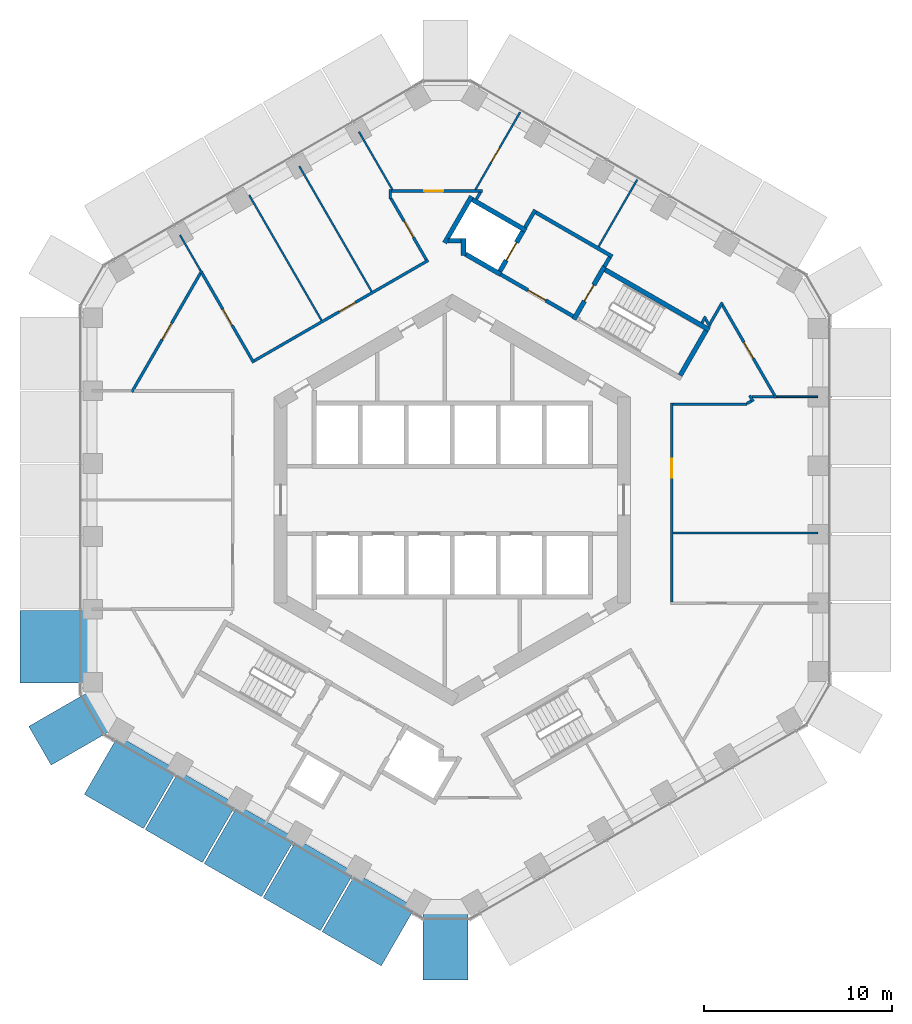
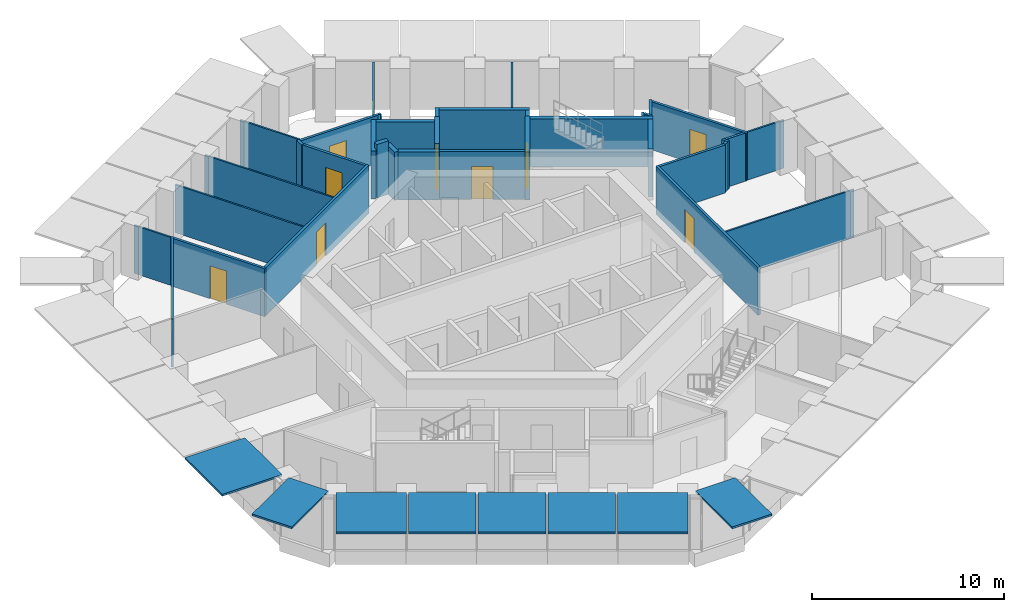
# One storey, part 15 of 19: 37 walls, 11 doors, 8 discrete accessories, 11 openings.
"""IFC4 building model written with IfcOpenShell, lengths in metres."""

import ifcopenshell
import ifcopenshell.guid

model = None  # the IFC model being written
_history = None  # IfcOwnerHistory: only IFC2X3 demands one
_inside = {}  # id of a spatial element -> (the spatial element, [elements in it])
_under = {}  # id of a project, library or spatial element -> (it, [spatial elements below it])
_declared = {}  # id of a project -> (the project, [libraries it declares])
_typed = {}  # id of a type object -> (the type object, [elements of that type])
_made_of = {}  # id of a material, layer set ... -> (it, [elements and type objects made of it])


def new_model(schema):
    """Start an empty IFC model of exactly this schema.

    Asked for "IFC4X3", IfcOpenShell would pick the latest addendum, in which some entities
    have other attributes; the version numbers below select the first issue.
    IFC2X3 requires an IfcOwnerHistory on every rooted entity: one is made here for all.
    """
    global model, _history
    if schema == "IFC4X3":
        model = ifcopenshell.file(schema_version=(4, 3, 0, 0))
    else:
        model = ifcopenshell.file(schema=schema)
    _inside.clear()
    _under.clear()
    _declared.clear()
    _typed.clear()
    _made_of.clear()
    _history = None
    if model.schema == "IFC2X3":
        org = make("IfcOrganization", Name="unknown")
        user = make(
            "IfcPersonAndOrganization",
            ThePerson=make("IfcPerson", FamilyName="unknown"),
            TheOrganization=org,
        )
        app = make(
            "IfcApplication",
            ApplicationDeveloper=org,
            Version="unknown",
            ApplicationFullName="unknown",
            ApplicationIdentifier="unknown",
        )
        _history = make(
            "IfcOwnerHistory",
            OwningUser=user,
            OwningApplication=app,
            ChangeAction="ADDED",
            CreationDate=0,
        )
    return model


def make(cls, **values):
    """One entity of the class cls with the attributes given. An attribute that is None is left unset."""
    return model.create_entity(
        cls, **{name: value for name, value in values.items() if value is not None}
    )


def rooted(cls, **values):
    """An entity with a GlobalId (a new one), such as an element, a storey or a relation."""
    return make(cls, GlobalId=ifcopenshell.guid.new(), OwnerHistory=_history, **values)


def si_unit(unit_type, name, prefix=None):
    """IfcSIUnit, for example si_unit("LENGTHUNIT", "METRE", prefix="MILLI")."""
    return make("IfcSIUnit", UnitType=unit_type, Prefix=prefix, Name=name)


def assignment(units):
    """IfcUnitAssignment: the units of a project."""
    return None if units is None else make("IfcUnitAssignment", Units=units)


def point(xyz):
    """IfcCartesianPoint."""
    return None if xyz is None else make("IfcCartesianPoint", Coordinates=xyz)


def direction(xyz):
    """IfcDirection."""
    return None if xyz is None else make("IfcDirection", DirectionRatios=xyz)


def frame(location, z_axis=None, x_axis=None):
    """IfcAxis2Placement3D, a coordinate frame: its origin and axes. An axis left out is left unset."""
    return make(
        "IfcAxis2Placement3D",
        Location=point(location),
        Axis=direction(z_axis),
        RefDirection=direction(x_axis),
    )


def frame_2d(location, x_axis=None):
    """IfcAxis2Placement2D, a coordinate frame in the plane: its origin and x axis."""
    return make(
        "IfcAxis2Placement2D", Location=point(location), RefDirection=direction(x_axis)
    )


def origin():
    """The frame at (0, 0, 0) with its axes left unset."""
    return frame((0.0, 0.0, 0.0))


def origin_2d():
    """The frame at (0, 0) in the plane with its x axis left unset."""
    return frame_2d((0.0, 0.0))


def place(relative_to, where):
    """IfcLocalPlacement: puts the frame where relative to a parent placement (None: the world)."""
    return make(
        "IfcLocalPlacement", PlacementRelTo=relative_to, RelativePlacement=where
    )


def context(
    kind, dimensions, precision=None, world=None, true_north=None, identifier=None
):
    """IfcGeometricRepresentationContext, for example the 3D "Model" context."""
    return make(
        "IfcGeometricRepresentationContext",
        ContextIdentifier=identifier,
        ContextType=kind,
        CoordinateSpaceDimension=dimensions,
        Precision=precision,
        WorldCoordinateSystem=world,
        TrueNorth=true_north,
    )


def subcontext(parent, identifier, kind, view, scale=None):
    """IfcGeometricRepresentationSubContext, for example "Body" below "Model"."""
    return make(
        "IfcGeometricRepresentationSubContext",
        ContextIdentifier=identifier,
        ContextType=kind,
        ParentContext=parent,
        TargetScale=scale,
        TargetView=view,
    )


def project(units=None, contexts=None):
    """IfcProject with its units and contexts."""
    return rooted(
        "IfcProject",
        Name="project",
        RepresentationContexts=contexts,
        UnitsInContext=assignment(units),
    )


def spatial(cls, under=None, at=None, **own):
    """A site, building, storey or space (cls), placed at a placement, below another one or the project."""
    s = rooted(cls, ObjectPlacement=at, **own)
    if under is not None:
        _under.setdefault(under.id(), (under, []))[1].append(s)
    return s


def profile(cls, at=None, kind="AREA", **sizes):
    """A parametric profile (cls). Its sizes go by their IFC names, for example OverallWidth=200.0."""
    return make(cls, ProfileType=kind, Position=at, **sizes)


def rectangle(**sizes):
    """IfcRectangleProfileDef."""
    return profile("IfcRectangleProfileDef", **sizes)


def extrude(swept, where, along, depth):
    """IfcExtrudedAreaSolid: the profile swept, set in the frame where, extruded along a direction by depth."""
    return make(
        "IfcExtrudedAreaSolid",
        SweptArea=swept,
        Position=where,
        ExtrudedDirection=direction(along),
        Depth=depth,
    )


def shape(context_of_items, identifier, shape_type, items):
    """IfcShapeRepresentation: the items that make up one representation, for example the "Body"."""
    return make(
        "IfcShapeRepresentation",
        ContextOfItems=context_of_items,
        RepresentationIdentifier=identifier,
        RepresentationType=shape_type,
        Items=items,
    )


def material(Name=None, Category=None):
    """IfcMaterial."""
    return make("IfcMaterial", Name=Name, Category=Category)


def layer(
    of_material, thickness, ventilated=None, Name=None, Category=None, Priority=None
):
    """IfcMaterialLayer: one layer of a wall or slab, of a material (None: an air gap)."""
    return make(
        "IfcMaterialLayer",
        Material=of_material,
        LayerThickness=thickness,
        IsVentilated=ventilated,
        Name=Name,
        Category=Category,
        Priority=Priority,
    )


def layer_set(layers, Name=None):
    """IfcMaterialLayerSet."""
    return make("IfcMaterialLayerSet", MaterialLayers=layers, LayerSetName=Name)


def made_of(thing, what):
    """Note that an element or type object is made of a material, layer set ...; save() writes the relation."""
    if what is not None:
        _made_of.setdefault(what.id(), (what, []))[1].append(thing)
    return thing


def type_object(cls, material=None, **own):
    """A type object (cls), such as IfcWallType, which elements share."""
    return made_of(rooted(cls, **own), material)


def element(
    cls,
    number,
    at=None,
    inside=None,
    cuts=None,
    type_object=None,
    material=None,
    context=None,
    identifier="Body",
    shape_type=None,
    held_by="IfcProductDefinitionShape",
    body=None,
    shapes=None,
    **own,
):
    """One element of the class cls, such as IfcWall. Its Tag is "e" and its number.

    at: its placement. inside: the storey or other place that contains it. cuts: it is an
    opening in that element (IfcRelVoidsElement). A single representation is given by context,
    identifier, shape_type and body (its items); several are given by shapes. held_by: the class
    of the entity that holds the representations. save() writes the other relations.
    """
    e = rooted(cls, Tag="e%d" % number, ObjectPlacement=at, **own)
    if body is not None:
        shapes = [shape(context, identifier, shape_type, body)]
    if shapes is not None:
        e.Representation = make(held_by, Representations=shapes)
    if inside is not None:
        _inside.setdefault(inside.id(), (inside, []))[1].append(e)
    if cuts is not None:
        rooted(
            "IfcRelVoidsElement", RelatingBuildingElement=cuts, RelatedOpeningElement=e
        )
    if type_object is not None:
        _typed.setdefault(type_object.id(), (type_object, []))[1].append(e)
    return made_of(e, material)


def fill(opening, filler):
    """IfcRelFillsElement: the door or window that sits in an opening."""
    return rooted(
        "IfcRelFillsElement",
        RelatingOpeningElement=opening,
        RelatedBuildingElement=filler,
    )


def aggregate(whole, parts):
    """IfcRelAggregates: a whole, such as a stair, and the parts it consists of."""
    return rooted("IfcRelAggregates", RelatingObject=whole, RelatedObjects=parts)


def save(model, path):
    """Write the relations noted so far, then the file.

    IfcRelAggregates (storeys below a building ...), IfcRelContainedInSpatialStructure (elements
    in a storey), IfcRelDefinesByType, IfcRelAssociatesMaterial and IfcRelDeclares: one each for
    every whole, place, type object, material and project.
    """
    for whole, parts in _under.values():
        aggregate(whole, parts)
    for where, things in _inside.values():
        rooted(
            "IfcRelContainedInSpatialStructure",
            RelatedElements=things,
            RelatingStructure=where,
        )
    for kind, things in _typed.values():
        rooted("IfcRelDefinesByType", RelatedObjects=things, RelatingType=kind)
    for what, things in _made_of.values():
        rooted("IfcRelAssociatesMaterial", RelatedObjects=things, RelatingMaterial=what)
    for by, libraries in _declared.values():
        rooted("IfcRelDeclares", RelatingContext=by, RelatedDefinitions=libraries)
    model.write(path)


model = new_model("IFC4")

# Units and contexts
model_context = context("Model", 3, precision=1e-05, world=origin(), true_north=direction((0.0, 1.0)))
body_context = subcontext(model_context, "Body", "Model", "MODEL_VIEW")
ifc_project = project(units=[si_unit("LENGTHUNIT", "METRE"), si_unit("AREAUNIT", "SQUARE_METRE"), si_unit("VOLUMEUNIT", "CUBIC_METRE"), si_unit("PLANEANGLEUNIT", "RADIAN"), si_unit("MASSUNIT", "GRAM", prefix="KILO")], contexts=[model_context])

# Site, building, storey
site_placement = place(None, origin())
site = spatial("IfcSite", under=ifc_project, at=site_placement, CompositionType="ELEMENT")
building_placement = place(site_placement, origin())
building = spatial("IfcBuilding", under=site, at=building_placement, Name="Ayvan Gate Tower", CompositionType="ELEMENT")
storey_placement = place(building_placement, frame((0.0, 0.0, 100.10009765625)))
storey = spatial("IfcBuildingStorey", under=building, at=storey_placement, Name="L26", CompositionType="ELEMENT", Elevation=100.10009765625)

# Wall, opening, door
ifc_material_1 = material(Name="Plasterboard on steel stud", Category="steel")
ifc_layer_1 = layer(ifc_material_1, 0.14990234375)
ifc_layer_set_1 = layer_set([ifc_layer_1], Name="Plasterboard on steel stud")
wall_type_1 = type_object("IfcWallType", Name="WT-CORR-150", PredefinedType="PARTITIONING", material=ifc_layer_set_1)
wall_1_placement = place(storey_placement, frame((-17.078369140625, 5.74853515625, 0.0), z_axis=(0.0, 0.0, 1.0), x_axis=(0.499994713456, 0.86602845595, 0.0)))
wall_1 = element("IfcWall", 1, at=wall_1_placement, inside=storey, type_object=wall_type_1, Name="IW-L26-003", PredefinedType="PARTITIONING", context=body_context, shape_type="SweptSolid", body=[
    extrude(rectangle(XDim=7.4775390625, YDim=0.14990234375, at=frame_2d((3.73876953125, 0.0))), origin(), (0.0, 0.0, 1.0), 3.0498046875),
])
opening_1_placement = place(wall_1_placement, frame((3.23876953125, 0.0, 0.0)))
opening_1 = element("IfcOpeningElement", 2, at=opening_1_placement, cuts=wall_1, Name="Opening L26-D22", PredefinedType="OPENING", context=body_context, shape_type="SweptSolid", body=[
    extrude(rectangle(XDim=1.0, YDim=2.10009765625, at=frame_2d((0.5, 1.050048828125))), frame((0.0, 0.0849609375, 0.0), z_axis=(0.0, -1.0, 0.0), x_axis=(1.0, 0.0, 0.0)), (0.0, 0.0, 1.0), 0.169921875),
])
ifc_material_2 = material(Name="Timber door leaf", Category="wood")
door_type_1 = type_object("IfcDoorType", Name="DT-1000", OperationType="NOTDEFINED", PredefinedType="DOOR", material=ifc_material_2)
door_1_placement = place(opening_1_placement, origin())
door_1 = element("IfcDoor", 3, at=door_1_placement, inside=storey, type_object=door_type_1, Name="ID-L26-022", OperationType="SINGLE_SWING_RIGHT", OverallHeight=2.10009765625, OverallWidth=1.0, PredefinedType="DOOR", context=body_context, shape_type="SweptSolid", body=[
    extrude(rectangle(XDim=1.0, YDim=2.10009765625, at=frame_2d((0.5, 1.050048828125))), frame((0.0, 0.02490234375, 0.0), z_axis=(0.0, -1.0, 0.0), x_axis=(1.0, 0.0, 0.0)), (0.0, 0.0, 1.0), 0.050048828125),
])
fill(opening_1, door_1)

wall_2_placement = place(storey_placement, frame((-13.339599609375, 12.094482421875, 0.0), z_axis=(0.0, 0.0, 1.0), x_axis=(0.500007092672, -0.866021308789, 0.0)))
wall_2 = element("IfcWall", 4, at=wall_2_placement, inside=storey, type_object=wall_type_1, Name="IW-L26-008", PredefinedType="PARTITIONING", context=body_context, shape_type="SweptSolid", body=[
    extrude(rectangle(XDim=5.51904296875, YDim=0.14990234375, at=frame_2d((2.759521484375, 0.0))), origin(), (0.0, 0.0, 1.0), 3.0498046875),
])
opening_2_placement = place(wall_2_placement, frame((2.221923828125, 0.0, 0.0)))
opening_2 = element("IfcOpeningElement", 5, at=opening_2_placement, cuts=wall_2, Name="Opening L26-D31", PredefinedType="OPENING", context=body_context, shape_type="SweptSolid", body=[
    extrude(rectangle(XDim=1.0, YDim=2.10009765625, at=frame_2d((0.5, 1.050048828125))), frame((0.0, 0.0849609375, 0.0), z_axis=(0.0, -1.0, 0.0), x_axis=(1.0, 0.0, 0.0)), (0.0, 0.0, 1.0), 0.169921875),
])
door_2_placement = place(opening_2_placement, origin())
door_2 = element("IfcDoor", 6, at=door_2_placement, inside=storey, type_object=door_type_1, Name="ID-L26-031", OperationType="SINGLE_SWING_LEFT", OverallHeight=2.10009765625, OverallWidth=1.0, PredefinedType="DOOR", context=body_context, shape_type="SweptSolid", body=[
    extrude(rectangle(XDim=1.0, YDim=2.10009765625, at=frame_2d((0.5, 1.050048828125))), frame((0.0, 0.02490234375, 0.0), z_axis=(0.0, -1.0, 0.0), x_axis=(1.0, 0.0, 0.0)), (0.0, 0.0, 1.0), 0.050048828125),
])
fill(opening_2, door_2)

wall_3_placement = place(storey_placement, frame((-10.552734375, 7.41748046875, 0.0), z_axis=(0.0, 0.0, 1.0), x_axis=(0.866028056677, 0.499995405027, 0.0)))
wall_3 = element("IfcWall", 7, at=wall_3_placement, inside=storey, type_object=wall_type_1, Name="IW-L26-013", PredefinedType="PARTITIONING", context=body_context, shape_type="SweptSolid", body=[
    extrude(rectangle(XDim=10.71044921875, YDim=0.14990234375, at=frame_2d((5.355224609375, 0.0))), origin(), (0.0, 0.0, 1.0), 3.0498046875),
])
opening_3_placement = place(wall_3_placement, frame((5.223876953125, 0.0, 0.0)))
opening_3 = element("IfcOpeningElement", 8, at=opening_3_placement, cuts=wall_3, Name="Opening L26-D30", PredefinedType="OPENING", context=body_context, shape_type="SweptSolid", body=[
    extrude(rectangle(XDim=1.0, YDim=2.10009765625, at=frame_2d((0.5, 1.050048828125))), frame((0.0, 0.0849609375, 0.0), z_axis=(0.0, -1.0, 0.0), x_axis=(1.0, 0.0, 0.0)), (0.0, 0.0, 1.0), 0.169921875),
])
door_3_placement = place(opening_3_placement, origin())
door_3 = element("IfcDoor", 9, at=door_3_placement, inside=storey, type_object=door_type_1, Name="ID-L26-030", OperationType="SINGLE_SWING_RIGHT", OverallHeight=2.10009765625, OverallWidth=1.0, PredefinedType="DOOR", context=body_context, shape_type="SweptSolid", body=[
    extrude(rectangle(XDim=1.0, YDim=2.10009765625, at=frame_2d((0.5, 1.050048828125))), frame((0.0, 0.02490234375, 0.0), z_axis=(0.0, -1.0, 0.0), x_axis=(1.0, 0.0, 0.0)), (0.0, 0.0, 1.0), 0.050048828125),
])
fill(opening_3, door_3)

# Wall
wall_4_placement = place(storey_placement, frame((-3.300048828125, 16.051025390625, 0.0), z_axis=(0.0, 0.0, 1.0), x_axis=(0.0, 1.0, 0.0)))
element("IfcWall", 10, at=wall_4_placement, inside=storey, type_object=wall_type_1, Name="IW-L26-039", PredefinedType="PARTITIONING", context=body_context, shape_type="SweptSolid", body=[
    extrude(rectangle(XDim=0.489501953125, YDim=0.14990234375, at=frame_2d((0.24462890625, 0.0))), origin(), (0.0, 0.0, 1.0), 3.0498046875),
])

# Wall, opening, door
wall_5_placement = place(storey_placement, frame((-3.22509765625, 16.465576171875, 0.0), z_axis=(0.0, 0.0, 1.0), x_axis=(1.0, 0.0, 0.0)))
wall_5 = element("IfcWall", 11, at=wall_5_placement, inside=storey, type_object=wall_type_1, Name="IW-L26-040", PredefinedType="PARTITIONING", context=body_context, shape_type="SweptSolid", body=[
    extrude(rectangle(XDim=4.839111328125, YDim=0.14990234375, at=frame_2d((2.41943359375, 0.0))), origin(), (0.0, 0.0, 1.0), 3.0498046875),
])
opening_4_placement = place(wall_5_placement, frame((1.744140625, 0.0, 0.0)))
opening_4 = element("IfcOpeningElement", 12, at=opening_4_placement, cuts=wall_5, Name="Opening L26-D20", PredefinedType="OPENING", context=body_context, shape_type="SweptSolid", body=[
    extrude(rectangle(XDim=1.0, YDim=2.10009765625, at=frame_2d((0.5, 1.050048828125))), frame((0.0, 0.0849609375, 0.0), z_axis=(0.0, -1.0, 0.0), x_axis=(1.0, 0.0, 0.0)), (0.0, 0.0, 1.0), 0.169921875),
])
door_4_placement = place(opening_4_placement, origin())
door_4 = element("IfcDoor", 13, at=door_4_placement, inside=storey, type_object=door_type_1, Name="ID-L26-020", OperationType="SINGLE_SWING_RIGHT", OverallHeight=2.10009765625, OverallWidth=1.0, PredefinedType="DOOR", context=body_context, shape_type="SweptSolid", body=[
    extrude(rectangle(XDim=1.0, YDim=2.10009765625, at=frame_2d((0.5, 1.050048828125))), frame((0.0, 0.02490234375, 0.0), z_axis=(0.0, -1.0, 0.0), x_axis=(1.0, 0.0, 0.0)), (0.0, 0.0, 1.0), 0.050048828125),
])
fill(opening_4, door_4)

wall_6_placement = place(storey_placement, frame((-1.379638671875, 12.800048828125, 0.0), z_axis=(0.0, 0.0, 1.0), x_axis=(-0.499988092049, 0.866032278734, 0.0)))
wall_6 = element("IfcWall", 14, at=wall_6_placement, inside=storey, type_object=wall_type_1, Name="IW-L26-046", PredefinedType="PARTITIONING", context=body_context, shape_type="SweptSolid", body=[
    extrude(rectangle(XDim=3.765625, YDim=0.14990234375, at=frame_2d((1.8828125, 0.0))), origin(), (0.0, 0.0, 1.0), 3.0498046875),
])
opening_5_placement = place(wall_6_placement, frame((1.3828125, 0.0, 0.0)))
opening_5 = element("IfcOpeningElement", 15, at=opening_5_placement, cuts=wall_6, Name="Opening L26-D29", PredefinedType="OPENING", context=body_context, shape_type="SweptSolid", body=[
    extrude(rectangle(XDim=1.0, YDim=2.10009765625, at=frame_2d((0.5, 1.050048828125))), frame((0.0, 0.0849609375, 0.0), z_axis=(0.0, -1.0, 0.0), x_axis=(1.0, 0.0, 0.0)), (0.0, 0.0, 1.0), 0.169921875),
])
door_5_placement = place(opening_5_placement, origin())
door_5 = element("IfcDoor", 16, at=door_5_placement, inside=storey, type_object=door_type_1, Name="ID-L26-029", OperationType="SINGLE_SWING_LEFT", OverallHeight=2.10009765625, OverallWidth=1.0, PredefinedType="DOOR", context=body_context, shape_type="SweptSolid", body=[
    extrude(rectangle(XDim=1.0, YDim=2.10009765625, at=frame_2d((0.5, 1.050048828125))), frame((0.0, 0.02490234375, 0.0), z_axis=(0.0, -1.0, 0.0), x_axis=(1.0, 0.0, 0.0)), (0.0, 0.0, 1.0), 0.050048828125),
])
fill(opening_5, door_5)

# Wall
wall_7_placement = place(storey_placement, frame((1.50146484375, 16.400634765625, 0.0), z_axis=(0.0, 0.0, 1.0), x_axis=(-0.500116443366, -0.865958164737, 0.0)))
element("IfcWall", 17, at=wall_7_placement, inside=storey, type_object=wall_type_1, Name="IW-L26-059", PredefinedType="PARTITIONING", context=body_context, shape_type="SweptSolid", body=[
    extrude(rectangle(XDim=0.42919921875, YDim=0.14990234375, at=frame_2d((0.214599609375, 0.0))), origin(), (0.0, 0.0, 1.0), 3.0498046875),
])

# Wall, opening, door
wall_8_placement = place(storey_placement, frame((11.699951171875, -5.43017578125, 0.0), z_axis=(0.0, 0.0, 1.0), x_axis=(0.0, 1.0, 0.0)))
wall_8 = element("IfcWall", 18, at=wall_8_placement, inside=storey, type_object=wall_type_1, Name="IW-L26-091", PredefinedType="PARTITIONING", context=body_context, shape_type="SweptSolid", body=[
    extrude(rectangle(XDim=10.6103515625, YDim=0.14990234375, at=frame_2d((5.30517578125, 0.0))), origin(), (0.0, 0.0, 1.0), 3.0498046875),
])
opening_6_placement = place(wall_8_placement, frame((6.616943359375, 0.0, 0.0)))
opening_6 = element("IfcOpeningElement", 19, at=opening_6_placement, cuts=wall_8, Name="Opening L26-D18", PredefinedType="OPENING", context=body_context, shape_type="SweptSolid", body=[
    extrude(rectangle(XDim=1.0, YDim=2.10009765625, at=frame_2d((0.5, 1.050048828125))), frame((0.0, 0.0849609375, 0.0), z_axis=(0.0, -1.0, 0.0), x_axis=(1.0, 0.0, 0.0)), (0.0, 0.0, 1.0), 0.169921875),
])
door_6_placement = place(opening_6_placement, origin())
door_6 = element("IfcDoor", 20, at=door_6_placement, inside=storey, type_object=door_type_1, Name="ID-L26-018", OperationType="SINGLE_SWING_RIGHT", OverallHeight=2.10009765625, OverallWidth=1.0, PredefinedType="DOOR", context=body_context, shape_type="SweptSolid", body=[
    extrude(rectangle(XDim=1.0, YDim=2.10009765625, at=frame_2d((0.5, 1.050048828125))), frame((0.0, 0.02490234375, 0.0), z_axis=(0.0, -1.0, 0.0), x_axis=(1.0, 0.0, 0.0)), (0.0, 0.0, 1.0), 0.050048828125),
])
fill(opening_6, door_6)

# Walls
wall_9_placement = place(storey_placement, frame((13.301513671875, 9.438720703125, 0.0), z_axis=(0.0, 0.0, 1.0), x_axis=(0.499849133735, 0.866112488944, 0.0)))
element("IfcWall", 21, at=wall_9_placement, inside=storey, type_object=wall_type_1, Name="IW-L26-096", PredefinedType="PARTITIONING", context=body_context, shape_type="SweptSolid", body=[
    extrude(rectangle(XDim=0.38916015625, YDim=0.14990234375, at=frame_2d((0.194580078125, 0.0))), origin(), (0.0, 0.0, 1.0), 3.0498046875),
])
wall_10_placement = place(storey_placement, frame((13.49609375, 9.64599609375, 0.0), z_axis=(0.0, 0.0, 1.0), x_axis=(0.500119048086, -0.865956660429, 0.0)))
element("IfcWall", 22, at=wall_10_placement, inside=storey, type_object=wall_type_1, Name="IW-L26-097", PredefinedType="PARTITIONING", context=body_context, shape_type="SweptSolid", body=[
    extrude(rectangle(XDim=0.4619140625, YDim=0.14990234375, at=frame_2d((0.23095703125, 0.0))), origin(), (0.0, 0.0, 1.0), 3.0498046875),
])
wall_11_placement = place(storey_placement, frame((13.72705078125, 9.3759765625, 0.0), z_axis=(0.0, 0.0, 1.0), x_axis=(0.500002746266, 0.866023818221, 0.0)))
element("IfcWall", 23, at=wall_11_placement, inside=storey, type_object=wall_type_1, Name="IW-L26-099", PredefinedType="PARTITIONING", context=body_context, shape_type="SweptSolid", body=[
    extrude(rectangle(XDim=1.33203125, YDim=0.14990234375, at=frame_2d((0.666015625, 0.0))), origin(), (0.0, 0.0, 1.0), 3.0498046875),
])

# Wall, opening, door
wall_12_placement = place(storey_placement, frame((14.39306640625, 10.399658203125, 0.0), z_axis=(0.0, 0.0, 1.0), x_axis=(0.499990619765, -0.866030819398, 0.0)))
wall_12 = element("IfcWall", 24, at=wall_12_placement, inside=storey, type_object=wall_type_1, Name="IW-L26-100", PredefinedType="PARTITIONING", context=body_context, shape_type="SweptSolid", body=[
    extrude(rectangle(XDim=5.7265625, YDim=0.14990234375, at=frame_2d((2.86328125, 0.0))), origin(), (0.0, 0.0, 1.0), 3.0498046875),
])
opening_7_placement = place(wall_12_placement, frame((2.30859375, 0.0, 0.0)))
opening_7 = element("IfcOpeningElement", 25, at=opening_7_placement, cuts=wall_12, Name="Opening L26-D19", PredefinedType="OPENING", context=body_context, shape_type="SweptSolid", body=[
    extrude(rectangle(XDim=1.0, YDim=2.10009765625, at=frame_2d((0.5, 1.050048828125))), frame((0.0, 0.0849609375, 0.0), z_axis=(0.0, -1.0, 0.0), x_axis=(1.0, 0.0, 0.0)), (0.0, 0.0, 1.0), 0.169921875),
])
door_7_placement = place(opening_7_placement, origin())
door_7 = element("IfcDoor", 26, at=door_7_placement, inside=storey, type_object=door_type_1, Name="ID-L26-019", OperationType="SINGLE_SWING_LEFT", OverallHeight=2.10009765625, OverallWidth=1.0, PredefinedType="DOOR", context=body_context, shape_type="SweptSolid", body=[
    extrude(rectangle(XDim=1.0, YDim=2.10009765625, at=frame_2d((0.5, 1.050048828125))), frame((0.0, 0.02490234375, 0.0), z_axis=(0.0, -1.0, 0.0), x_axis=(1.0, 0.0, 0.0)), (0.0, 0.0, 1.0), 0.050048828125),
])
fill(opening_7, door_7)

# Walls
wall_13_placement = place(storey_placement, frame((15.71728515625, 5.105224609375, 0.0), z_axis=(0.0, 0.0, 1.0), x_axis=(-1.0, 0.0, 0.0)))
element("IfcWall", 27, at=wall_13_placement, inside=storey, type_object=wall_type_1, Name="IW-L26-101", PredefinedType="PARTITIONING", context=body_context, shape_type="SweptSolid", body=[
    extrude(rectangle(XDim=3.9423828125, YDim=0.14990234375, at=frame_2d((1.97119140625, 0.0))), origin(), (0.0, 0.0, 1.0), 3.0498046875),
])
wall_14_placement = place(storey_placement, frame((15.849365234375, 5.570068359375, 0.0), z_axis=(0.0, 0.0, 1.0), x_axis=(0.499929606556, -0.866066041644, 0.0)))
element("IfcWall", 28, at=wall_14_placement, inside=storey, type_object=wall_type_1, Name="IW-L26-102", PredefinedType="PARTITIONING", context=body_context, shape_type="SweptSolid", body=[
    extrude(rectangle(XDim=0.3740234375, YDim=0.14990234375, at=frame_2d((0.18701171875, 0.0))), origin(), (0.0, 0.0, 1.0), 3.0498046875),
])
wall_15_placement = place(storey_placement, frame((15.93408203125, 5.2734375, 0.0), z_axis=(0.0, 0.0, 1.0), x_axis=(-0.865936922628, -0.500153222552, 0.0)))
element("IfcWall", 29, at=wall_15_placement, inside=storey, type_object=wall_type_1, Name="IW-L26-103", PredefinedType="PARTITIONING", context=body_context, shape_type="SweptSolid", body=[
    extrude(rectangle(XDim=0.26171875, YDim=0.14990234375, at=frame_2d((0.130859375, 0.0))), origin(), (0.0, 0.0, 1.0), 3.0498046875),
])
wall_16_placement = place(storey_placement, frame((17.143798828125, 5.505126953125, 0.0), z_axis=(0.0, 0.0, 1.0), x_axis=(-1.0, 0.0, 0.0)))
element("IfcWall", 30, at=wall_16_placement, inside=storey, type_object=wall_type_1, Name="IW-L26-106", PredefinedType="PARTITIONING", context=body_context, shape_type="SweptSolid", body=[
    extrude(rectangle(XDim=1.181884765625, YDim=0.14990234375, at=frame_2d((0.5908203125, 0.0))), origin(), (0.0, 0.0, 1.0), 3.0498046875),
])
ifc_layer_2 = layer(ifc_material_1, 0.10009765625)
ifc_layer_set_2 = layer_set([ifc_layer_2], Name="Plasterboard on steel stud")
wall_type_2 = type_object("IfcWallType", Name="WT-PART-100", PredefinedType="PARTITIONING", material=ifc_layer_set_2)
wall_17_placement = place(storey_placement, frame((-14.510498046875, 14.122314453125, 0.0), z_axis=(0.0, 0.0, 1.0), x_axis=(0.500056727961, -0.865992649403, 0.0)))
element("IfcWall", 31, at=wall_17_placement, inside=storey, type_object=wall_type_2, Name="IW-L26-004", PredefinedType="PARTITIONING", context=body_context, shape_type="SweptSolid", body=[
    extrude(rectangle(XDim=2.191650390625, YDim=0.10009765625, at=frame_2d((1.095703125, 0.0))), origin(), (0.0, 0.0, 1.0), 3.0498046875),
])
wall_18_placement = place(storey_placement, frame((-6.96826171875, 9.573486328125, 0.0), z_axis=(0.0, 0.0, 1.0), x_axis=(-0.499983743644, 0.866034789193, 0.0)))
element("IfcWall", 32, at=wall_18_placement, inside=storey, type_object=wall_type_2, Name="IW-L26-025", PredefinedType="PARTITIONING", context=body_context, shape_type="SweptSolid", body=[
    extrude(rectangle(XDim=7.710693359375, YDim=0.10009765625, at=frame_2d((3.85546875, 0.0))), origin(), (0.0, 0.0, 1.0), 3.0498046875),
])
wall_19_placement = place(storey_placement, frame((-4.29833984375, 11.114990234375, 0.0), z_axis=(0.0, 0.0, 1.0), x_axis=(-0.499997453958, 0.866026873738, 0.0)))
element("IfcWall", 33, at=wall_19_placement, inside=storey, type_object=wall_type_2, Name="IW-L26-036", PredefinedType="PARTITIONING", context=body_context, shape_type="SweptSolid", body=[
    extrude(rectangle(XDim=7.71044921875, YDim=0.10009765625, at=frame_2d((3.855224609375, 0.0))), origin(), (0.0, 0.0, 1.0), 3.0498046875),
])
wall_20_placement = place(storey_placement, frame((-3.18701171875, 16.530517578125, 0.0), z_axis=(0.0, 0.0, 1.0), x_axis=(-0.499986405537, 0.866033252409, 0.0)))
element("IfcWall", 34, at=wall_20_placement, inside=storey, type_object=wall_type_2, Name="IW-L26-041", PredefinedType="PARTITIONING", context=body_context, shape_type="SweptSolid", body=[
    extrude(rectangle(XDim=3.576171875, YDim=0.10009765625, at=frame_2d((1.7880859375, 0.0))), origin(), (0.0, 0.0, 1.0), 3.0498046875),
])

# Wall, opening, door
wall_21_placement = place(storey_placement, frame((3.619384765625, 20.669189453125, 0.0), z_axis=(0.0, 0.0, 1.0), x_axis=(-0.499990736708, -0.866030751883, 0.0)))
wall_21 = element("IfcWall", 35, at=wall_21_placement, inside=storey, type_object=wall_type_2, Name="IW-L26-068", PredefinedType="PARTITIONING", context=body_context, shape_type="SweptSolid", body=[
    extrude(rectangle(XDim=4.77880859375, YDim=0.10009765625, at=frame_2d((2.389404296875, 0.0))), origin(), (0.0, 0.0, 1.0), 3.0498046875),
])
opening_8_placement = place(wall_21_placement, frame((2.199951171875, 0.0, 0.0)))
opening_8 = element("IfcOpeningElement", 36, at=opening_8_placement, cuts=wall_21, Name="Opening L26-D21", PredefinedType="OPENING", context=body_context, shape_type="SweptSolid", body=[
    extrude(rectangle(XDim=0.89990234375, YDim=2.10009765625, at=frame_2d((0.449951171875, 1.050048828125))), frame((0.0, 0.06005859375, 0.0), z_axis=(0.0, -1.0, 0.0), x_axis=(1.0, 0.0, 0.0)), (0.0, 0.0, 1.0), 0.1201171875),
])
door_type_2 = type_object("IfcDoorType", Name="DT-900", OperationType="NOTDEFINED", PredefinedType="DOOR", material=ifc_material_2)
door_8_placement = place(opening_8_placement, origin())
door_8 = element("IfcDoor", 37, at=door_8_placement, inside=storey, type_object=door_type_2, Name="ID-L26-021", OperationType="SINGLE_SWING_LEFT", OverallHeight=2.10009765625, OverallWidth=0.89990234375, PredefinedType="DOOR", context=body_context, shape_type="SweptSolid", body=[
    extrude(rectangle(XDim=0.89990234375, YDim=2.10009765625, at=frame_2d((0.449951171875, 1.050048828125))), frame((0.0, 0.02490234375, 0.0), z_axis=(0.0, -1.0, 0.0), x_axis=(1.0, 0.0, 0.0)), (0.0, 0.0, 1.0), 0.050048828125),
])
fill(opening_8, door_8)

# Walls
wall_22_placement = place(storey_placement, frame((7.800048828125, 13.510009765625, 0.0), z_axis=(0.0, 0.0, 1.0), x_axis=(0.500017276951, 0.866015428702, 0.0)))
element("IfcWall", 38, at=wall_22_placement, inside=storey, type_object=wall_type_2, Name="IW-L26-084", PredefinedType="PARTITIONING", context=body_context, shape_type="SweptSolid", body=[
    extrude(rectangle(XDim=4.109619140625, YDim=0.10009765625, at=frame_2d((2.0546875, 0.0))), origin(), (0.0, 0.0, 1.0), 3.0498046875),
])
wall_23_placement = place(storey_placement, frame((11.77490234375, -1.76171875, 0.0), z_axis=(0.0, 0.0, 1.0), x_axis=(1.0, 0.0, 0.0)))
element("IfcWall", 39, at=wall_23_placement, inside=storey, type_object=wall_type_2, Name="IW-L26-092", PredefinedType="PARTITIONING", context=body_context, shape_type="SweptSolid", body=[
    extrude(rectangle(XDim=7.710693359375, YDim=0.10009765625, at=frame_2d((3.85546875, 0.0))), origin(), (0.0, 0.0, 1.0), 3.0498046875),
])
wall_24_placement = place(storey_placement, frame((17.293701171875, 5.505126953125, 0.0), z_axis=(0.0, 0.0, 1.0), x_axis=(1.0, 0.0, 0.0)))
element("IfcWall", 40, at=wall_24_placement, inside=storey, type_object=wall_type_2, Name="IW-L26-105", PredefinedType="PARTITIONING", context=body_context, shape_type="SweptSolid", body=[
    extrude(rectangle(XDim=2.19189453125, YDim=0.10009765625, at=frame_2d((1.095947265625, 0.0))), origin(), (0.0, 0.0, 1.0), 3.0498046875),
])
ifc_layer_3 = layer(ifc_material_1, 0.199951171875)
ifc_layer_set_3 = layer_set([ifc_layer_3], Name="Plasterboard on steel stud")
wall_type_3 = type_object("IfcWallType", Name="WT-RATED-200", PredefinedType="PARTITIONING", material=ifc_layer_set_3)
wall_25_placement = place(storey_placement, frame((3.885009765625, 14.52880859375, 0.0), z_axis=(0.0, 0.0, 1.0), x_axis=(0.499997628298, 0.866026773083, 0.0)))
element("IfcWall", 41, at=wall_25_placement, inside=storey, type_object=wall_type_3, Name="IW-L26-071", PredefinedType="PARTITIONING", context=body_context, shape_type="SweptSolid", body=[
    extrude(rectangle(XDim=1.0751953125, YDim=0.199951171875, at=frame_2d((0.53759765625, 0.0))), origin(), (0.0, 0.0, 1.0), 3.0498046875),
])
wall_26_placement = place(storey_placement, frame((4.458984375, 15.323486328125, 0.0), z_axis=(0.0, 0.0, 1.0), x_axis=(0.866016039709, -0.500016218704, 0.0)))
element("IfcWall", 42, at=wall_26_placement, inside=storey, type_object=wall_type_3, Name="IW-L26-072", PredefinedType="PARTITIONING", context=body_context, shape_type="SweptSolid", body=[
    extrude(rectangle(XDim=4.699951171875, YDim=0.199951171875, at=frame_2d((2.35009765625, 0.0))), origin(), (0.0, 0.0, 1.0), 3.0498046875),
])

# Wall, opening, door
wall_27_placement = place(storey_placement, frame((6.4345703125, 9.794921875, 0.0), z_axis=(0.0, 0.0, 1.0), x_axis=(-0.866012907634, 0.500021643343, 0.0)))
wall_27 = element("IfcWall", 43, at=wall_27_placement, inside=storey, type_object=wall_type_3, Name="IW-L26-075", PredefinedType="PARTITIONING", context=body_context, shape_type="SweptSolid", body=[
    extrude(rectangle(XDim=4.449951171875, YDim=0.199951171875, at=frame_2d((2.22509765625, 0.0))), origin(), (0.0, 0.0, 1.0), 3.0498046875),
])
opening_9_placement = place(wall_27_placement, frame((1.675048828125, 0.0, 0.0)))
opening_9 = element("IfcOpeningElement", 44, at=opening_9_placement, cuts=wall_27, Name="Opening L26-D08", PredefinedType="OPENING", context=body_context, shape_type="SweptSolid", body=[
    extrude(rectangle(XDim=1.10009765625, YDim=2.10009765625, at=frame_2d((0.550048828125, 1.050048828125))), frame((0.0, 0.10986328125, 0.0), z_axis=(0.0, -1.0, 0.0), x_axis=(1.0, 0.0, 0.0)), (0.0, 0.0, 1.0), 0.219970703125),
])
door_type_3 = type_object("IfcDoorType", Name="DT-1100", OperationType="NOTDEFINED", PredefinedType="DOOR", material=ifc_material_2)
door_9_placement = place(opening_9_placement, origin())
door_9 = element("IfcDoor", 45, at=door_9_placement, inside=storey, type_object=door_type_3, Name="ID-L26-008", OperationType="SINGLE_SWING_RIGHT", OverallHeight=2.10009765625, OverallWidth=1.10009765625, PredefinedType="DOOR", context=body_context, shape_type="SweptSolid", body=[
    extrude(rectangle(XDim=1.10009765625, YDim=2.10009765625, at=frame_2d((0.550048828125, 1.050048828125))), frame((0.0, 0.02490234375, 0.0), z_axis=(0.0, -1.0, 0.0), x_axis=(1.0, 0.0, 0.0)), (0.0, 0.0, 1.0), 0.050048828125),
])
fill(opening_9, door_9)

# Walls
wall_28_placement = place(storey_placement, frame((8.392822265625, 12.936767578125, 0.0), z_axis=(0.0, 0.0, 1.0), x_axis=(-0.500065409566, -0.86598763626, 0.0)))
element("IfcWall", 46, at=wall_28_placement, inside=storey, type_object=wall_type_3, Name="IW-L26-086", PredefinedType="PARTITIONING", context=body_context, shape_type="SweptSolid", body=[
    extrude(rectangle(XDim=0.5751953125, YDim=0.199951171875, at=frame_2d((0.28759765625, 0.0))), origin(), (0.0, 0.0, 1.0), 3.0498046875),
])
ifc_material_3 = material(Name="Concrete C50/60", Category="concrete")
ifc_layer_4 = layer(ifc_material_3, 0.25)
ifc_layer_set_4 = layer_set([ifc_layer_4], Name="Concrete C50/60")
wall_type_4 = type_object("IfcWallType", Name="WT-RC-250", PredefinedType="SHEAR", material=ifc_layer_set_4)
wall_29_placement = place(storey_placement, frame((-0.403076171875, 13.70166015625, 0.0), z_axis=(0.0, 0.0, 1.0), x_axis=(0.499976111731, 0.866039195244, 0.0)))
element("IfcWall", 47, at=wall_29_placement, inside=storey, type_object=wall_type_4, Name="IW-L26-053", PredefinedType="SHEAR", context=body_context, shape_type="SweptSolid", body=[
    extrude(rectangle(XDim=2.860595703125, YDim=0.25, at=frame_2d((1.43017578125, 0.0))), origin(), (0.0, 0.0, 1.0), 3.0498046875),
])
wall_30_placement = place(storey_placement, frame((0.60009765625, 13.03857421875, 0.0), z_axis=(0.0, 0.0, 1.0), x_axis=(0.0, 1.0, 0.0)))
element("IfcWall", 48, at=wall_30_placement, inside=storey, type_object=wall_type_4, Name="IW-L26-056", PredefinedType="SHEAR", context=body_context, shape_type="SweptSolid", body=[
    extrude(rectangle(XDim=0.896484375, YDim=0.25, at=frame_2d((0.4482421875, 0.0))), origin(), (0.0, 0.0, 1.0), 3.0498046875),
])
wall_31_placement = place(storey_placement, frame((0.47509765625, 13.81005859375, 0.0), z_axis=(0.0, 0.0, 1.0), x_axis=(-1.0, 0.0, 0.0)))
element("IfcWall", 49, at=wall_31_placement, inside=storey, type_object=wall_type_4, Name="IW-L26-057", PredefinedType="SHEAR", context=body_context, shape_type="SweptSolid", body=[
    extrude(rectangle(XDim=0.690673828125, YDim=0.25, at=frame_2d((0.34521484375, 0.0))), origin(), (0.0, 0.0, 1.0), 3.39990234375),
])
wall_32_placement = place(storey_placement, frame((1.072998046875, 16.00830078125, 0.0), z_axis=(0.0, 0.0, 1.0), x_axis=(0.866040211805, -0.499974350878, 0.0)))
element("IfcWall", 50, at=wall_32_placement, inside=storey, type_object=wall_type_4, Name="IW-L26-058", PredefinedType="SHEAR", context=body_context, shape_type="SweptSolid", body=[
    extrude(rectangle(XDim=3.300048828125, YDim=0.25, at=frame_2d((1.64990234375, 0.0))), origin(), (0.0, 0.0, 1.0), 3.0498046875),
])
wall_33_placement = place(storey_placement, frame((2.580810546875, 12.02001953125, 0.0), z_axis=(0.0, 0.0, 1.0), x_axis=(-0.86603892542, 0.499976579108, 0.0)))
element("IfcWall", 51, at=wall_33_placement, inside=storey, type_object=wall_type_4, Name="IW-L26-063", PredefinedType="SHEAR", context=body_context, shape_type="SweptSolid", body=[
    extrude(rectangle(XDim=2.162109375, YDim=0.25, at=frame_2d((1.0810546875, 0.0))), origin(), (0.0, 0.0, 1.0), 3.0498046875),
])

# Wall, opening, door
wall_34_placement = place(storey_placement, frame((2.534912109375, 12.19091796875, 0.0), z_axis=(0.0, 0.0, 1.0), x_axis=(0.500061746146, 0.865989751695, 0.0)))
wall_34 = element("IfcWall", 52, at=wall_34_placement, inside=storey, type_object=wall_type_4, Name="IW-L26-064", PredefinedType="SHEAR", context=body_context, shape_type="SweptSolid", body=[
    extrude(rectangle(XDim=2.449951171875, YDim=0.25, at=frame_2d((1.22509765625, 0.0))), origin(), (0.0, 0.0, 1.0), 3.39990234375),
])
opening_10_placement = place(wall_34_placement, frame((0.675048828125, 0.0, 0.0)))
opening_10 = element("IfcOpeningElement", 53, at=opening_10_placement, cuts=wall_34, Name="Opening L26-LD-FF1", PredefinedType="OPENING", context=body_context, shape_type="SweptSolid", body=[
    extrude(rectangle(XDim=1.10009765625, YDim=2.10009765625, at=frame_2d((0.550048828125, 1.050048828125))), frame((0.0, 0.135009765625, 0.0), z_axis=(0.0, -1.0, 0.0), x_axis=(1.0, 0.0, 0.0)), (0.0, 0.0, 1.0), 0.27001953125),
])
ifc_material_4 = material(Name="Stainless steel landing door", Category="steel")
door_type_4 = type_object("IfcDoorType", Name="DT-LANDING-1100", OperationType="SLIDING_TO_LEFT", PredefinedType="DOOR", material=ifc_material_4)
door_10_placement = place(opening_10_placement, origin())
door_10 = element("IfcDoor", 54, at=door_10_placement, inside=storey, type_object=door_type_4, Name="ID-L26-009", OperationType="SLIDING_TO_LEFT", OverallHeight=2.10009765625, OverallWidth=1.10009765625, PredefinedType="DOOR", context=body_context, shape_type="SweptSolid", body=[
    extrude(rectangle(XDim=1.10009765625, YDim=2.10009765625, at=frame_2d((0.550048828125, 1.050048828125))), frame((0.0, 0.02490234375, 0.0), z_axis=(0.0, -1.0, 0.0), x_axis=(1.0, 0.0, 0.0)), (0.0, 0.0, 1.0), 0.050048828125),
])
fill(opening_10, door_10)

wall_35_placement = place(storey_placement, frame((6.480224609375, 9.624267578125, 0.0), z_axis=(0.0, 0.0, 1.0), x_axis=(0.500017246033, 0.866015446554, 0.0)))
wall_35 = element("IfcWall", 55, at=wall_35_placement, inside=storey, type_object=wall_type_4, Name="IW-L26-076", PredefinedType="SHEAR", context=body_context, shape_type="SweptSolid", body=[
    extrude(rectangle(XDim=3.25, YDim=0.25, at=frame_2d((1.625, 0.0))), origin(), (0.0, 0.0, 1.0), 3.0498046875),
])
opening_11_placement = place(wall_35_placement, frame((1.125, 0.0, 0.0)))
opening_11 = element("IfcOpeningElement", 56, at=opening_11_placement, cuts=wall_35, Name="Opening L26-D07", PredefinedType="OPENING", context=body_context, shape_type="SweptSolid", body=[
    extrude(rectangle(XDim=1.0, YDim=2.10009765625, at=frame_2d((0.5, 1.050048828125))), frame((0.0, 0.135009765625, 0.0), z_axis=(0.0, -1.0, 0.0), x_axis=(1.0, 0.0, 0.0)), (0.0, 0.0, 1.0), 0.27001953125),
])
door_11_placement = place(opening_11_placement, origin())
door_11 = element("IfcDoor", 57, at=door_11_placement, inside=storey, type_object=door_type_1, Name="ID-L26-007", OperationType="SINGLE_SWING_LEFT", OverallHeight=2.10009765625, OverallWidth=1.0, PredefinedType="DOOR", context=body_context, shape_type="SweptSolid", body=[
    extrude(rectangle(XDim=1.0, YDim=2.10009765625, at=frame_2d((0.5, 1.050048828125))), frame((0.0, 0.02490234375, 0.0), z_axis=(0.0, -1.0, 0.0), x_axis=(1.0, 0.0, 0.0)), (0.0, 0.0, 1.0), 0.050048828125),
])
fill(opening_11, door_11)

# Walls
wall_36_placement = place(storey_placement, frame((8.151123046875, 12.26806640625, 0.0), z_axis=(0.0, 0.0, 1.0), x_axis=(0.866025499775, -0.499999833739, 0.0)))
element("IfcWall", 58, at=wall_36_placement, inside=storey, type_object=wall_type_4, Name="IW-L26-085", PredefinedType="SHEAR", context=body_context, shape_type="SweptSolid", body=[
    extrude(rectangle(XDim=6.39990234375, YDim=0.25, at=frame_2d((3.199951171875, 0.0))), origin(), (0.0, 0.0, 1.0), 3.0498046875),
])
wall_37_placement = place(storey_placement, frame((13.52294921875, 9.022216796875, 0.0), z_axis=(0.0, 0.0, 1.0), x_axis=(-0.500034990121, -0.866005201286, 0.0)))
element("IfcWall", 59, at=wall_37_placement, inside=storey, type_object=wall_type_4, Name="IW-L26-098", PredefinedType="SHEAR", context=body_context, shape_type="SweptSolid", body=[
    extrude(rectangle(XDim=2.749755859375, YDim=0.25, at=frame_2d((1.375, 0.0))), origin(), (0.0, 0.0, 1.0), 3.0498046875),
])

# Discrete accessories
ifc_material_5 = material(Name="Stainless steel 316", Category="steel")
ifc_layer_5 = layer(ifc_material_5, 0.1201171875)
ifc_layer_set_5 = layer_set([ifc_layer_5], Name="Stainless steel 316")
discrete_accessory_type = type_object("IfcDiscreteAccessoryType", Name="Fin carrier bracket", PredefinedType="BRACKET", material=ifc_layer_set_5)
discrete_accessory_1_placement = place(storey_placement, frame((-21.232421875, -7.824951171875, 3.27978515625), z_axis=(0.0, 0.0, 1.0), x_axis=(0.0, -1.0, 0.0)))
element("IfcDiscreteAccessory", 60, at=discrete_accessory_1_placement, inside=storey, type_object=discrete_accessory_type, Name="Fin carrier 41", PredefinedType="BRACKET", context=body_context, shape_type="SweptSolid", body=[
    extrude(rectangle(XDim=3.861572265625, YDim=3.60595703125, at=origin_2d()), origin(), (0.0, 0.0, 1.0), 0.1201171875),
])
discrete_accessory_2_placement = place(storey_placement, frame((-20.32470703125, -12.1455078125, 3.27978515625), z_axis=(0.0, 0.0, 1.0), x_axis=(0.5, -0.866025403784, 0.0)))
element("IfcDiscreteAccessory", 61, at=discrete_accessory_2_placement, inside=storey, type_object=discrete_accessory_type, Name="Fin carrier 87", PredefinedType="BRACKET", context=body_context, shape_type="SweptSolid", body=[
    extrude(rectangle(XDim=2.386474609375, YDim=3.809814453125, at=origin_2d()), origin(), (0.0, 0.0, 1.0), 0.1201171875),
])
discrete_accessory_3_placement = place(storey_placement, frame((-17.130126953125, -15.038330078125, 3.27978515625), z_axis=(0.0, 0.0, 1.0), x_axis=(0.866025403784, -0.5, 0.0)))
element("IfcDiscreteAccessory", 62, at=discrete_accessory_3_placement, inside=storey, type_object=discrete_accessory_type, Name="Fin carrier 191", PredefinedType="BRACKET", context=body_context, shape_type="SweptSolid", body=[
    extrude(rectangle(XDim=3.64599609375, YDim=3.60595703125, at=origin_2d()), origin(), (0.0, 0.0, 1.0), 0.1201171875),
])
for number, where, z_axis, x_axis, name in (
    (63, (-13.936767578125, -16.882080078125, 3.27978515625), (0.0, 0.0, 1.0), (0.866025403784, -0.5, 0.0), "Fin carrier 271"),
    (64, (-10.7939453125, -18.696533203125, 3.27978515625), (0.0, 0.0, 1.0), (0.866025403784, -0.5, 0.0), "Fin carrier 329"),
    (65, (-7.651123046875, -20.510986328125, 3.27978515625), (0.0, 0.0, 1.0), (0.866025403784, -0.5, 0.0), "Fin carrier 390"),
):
    element("IfcDiscreteAccessory", number, at=place(storey_placement, frame(where, z_axis=z_axis, x_axis=x_axis)), inside=storey, type_object=discrete_accessory_type, Name=name, PredefinedType="BRACKET", context=body_context, shape_type="SweptSolid", body=[
        extrude(rectangle(XDim=3.529052734375, YDim=3.60595703125, at=origin_2d()), origin(), (0.0, 0.0, 1.0), 0.1201171875),
    ])
discrete_accessory_4_placement = place(storey_placement, frame((-4.4580078125, -22.3544921875, 3.27978515625), z_axis=(0.0, 0.0, 1.0), x_axis=(0.866025403784, -0.5, 0.0)))
element("IfcDiscreteAccessory", 66, at=discrete_accessory_4_placement, inside=storey, type_object=discrete_accessory_type, Name="Fin carrier 467", PredefinedType="BRACKET", context=body_context, shape_type="SweptSolid", body=[
    extrude(rectangle(XDim=3.64501953125, YDim=3.60595703125, at=origin_2d()), origin(), (0.0, 0.0, 1.0), 0.1201171875),
])
discrete_accessory_5_placement = place(storey_placement, frame((-0.356201171875, -23.674560546875, 3.27978515625), z_axis=(0.0, 0.0, 1.0), x_axis=(1.0, 0.0, 0.0)))
element("IfcDiscreteAccessory", 67, at=discrete_accessory_5_placement, inside=storey, type_object=discrete_accessory_type, Name="Fin carrier 513", PredefinedType="BRACKET", context=body_context, shape_type="SweptSolid", body=[
    extrude(rectangle(XDim=2.386474609375, YDim=3.809814453125, at=origin_2d()), origin(), (0.0, 0.0, 1.0), 0.1201171875),
])

save(model, "model.ifc")
